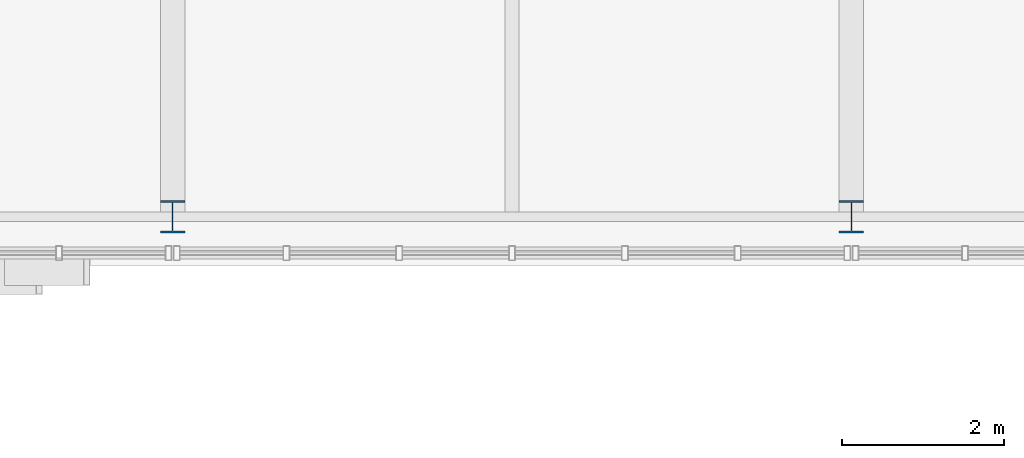
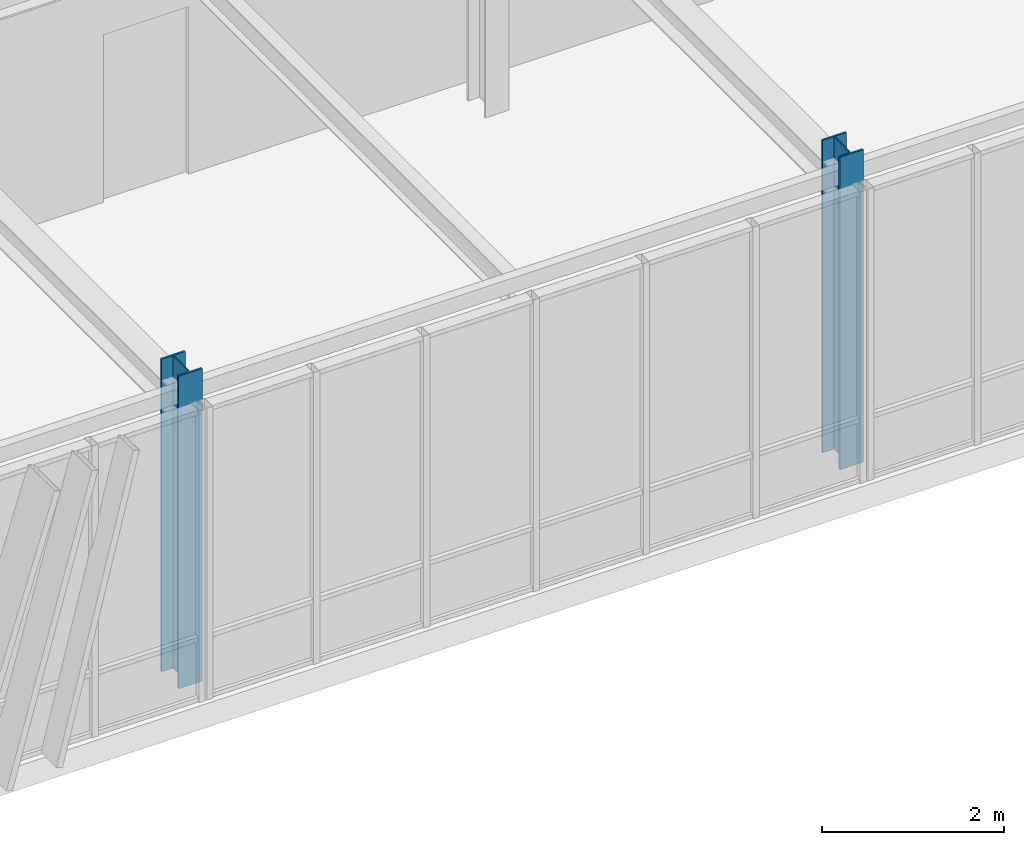
# One storey, part 3 of 127: 2 columns.
"""IFC4 building model written with IfcOpenShell, lengths in metres."""

from ifc_helpers import new_model, si_unit, direction, frame, origin, origin_2d, place, context, subcontext, project, spatial, i_section, extrude, material, material_profile, profile_set, type_object, element, save


model = new_model("IFC4")

# Units and contexts
model_context = context("Model", 3, precision=1e-05, world=origin(), true_north=direction((0.0, 1.0)))
body_context = subcontext(model_context, "Body", "Model", "MODEL_VIEW")
ifc_project = project(units=[si_unit("LENGTHUNIT", "METRE"), si_unit("AREAUNIT", "SQUARE_METRE"), si_unit("VOLUMEUNIT", "CUBIC_METRE"), si_unit("PLANEANGLEUNIT", "RADIAN"), si_unit("MASSUNIT", "GRAM", prefix="KILO")], contexts=[model_context])

# Site, building, storey
site_placement = place(None, origin())
site = spatial("IfcSite", under=ifc_project, at=site_placement, CompositionType="ELEMENT")
building_placement = place(site_placement, origin())
building = spatial("IfcBuilding", under=site, at=building_placement, Name="Zayran Congress Hotel", CompositionType="ELEMENT")
storey_placement = place(building_placement, frame((0.0, 0.0, 10.800048828125)))
storey = spatial("IfcBuildingStorey", under=building, at=storey_placement, Name="L02", CompositionType="ELEMENT", Elevation=10.800048828125)

# Columns
ifc_material = material(Name="Steel S355", Category="steel")
ifc_material_profile = material_profile(ifc_material, i_section(OverallWidth=0.300048828125, OverallDepth=0.39990234375, WebThickness=0.013427734375, FlangeThickness=0.02392578125, at=origin_2d()), Name="HEB 400")
ifc_profile_set = profile_set([ifc_material_profile], Name="Steel S355")
column_type = type_object("IfcColumnType", Name="TP-CL-07", PredefinedType="COLUMN", material=ifc_profile_set)
for number, where, z_axis, x_axis, name in (
    (1, (58.800048828125, 68.199951171875, 0.0), (0.0, 0.0, 1.0), (1.0, 0.0, 0.0), "COL-V1-L02-0423"),
    (2, (67.199951171875, 68.199951171875, 0.0), (0.0, 0.0, 1.0), (1.0, 0.0, 0.0), "COL-V1-L02-0428"),
):
    element("IfcColumn", number, at=place(storey_placement, frame(where, z_axis=z_axis, x_axis=x_axis)), inside=storey, type_object=column_type, Name=name, PredefinedType="COLUMN", context=body_context, shape_type="SweptSolid", body=[
        extrude(i_section(OverallWidth=0.300048828125, OverallDepth=0.39990234375, WebThickness=0.013427734375, FlangeThickness=0.02392578125, at=origin_2d()), origin(), (0.0, 0.0, 1.0), 4.199951171875),
    ])

save(model, "model.ifc")
